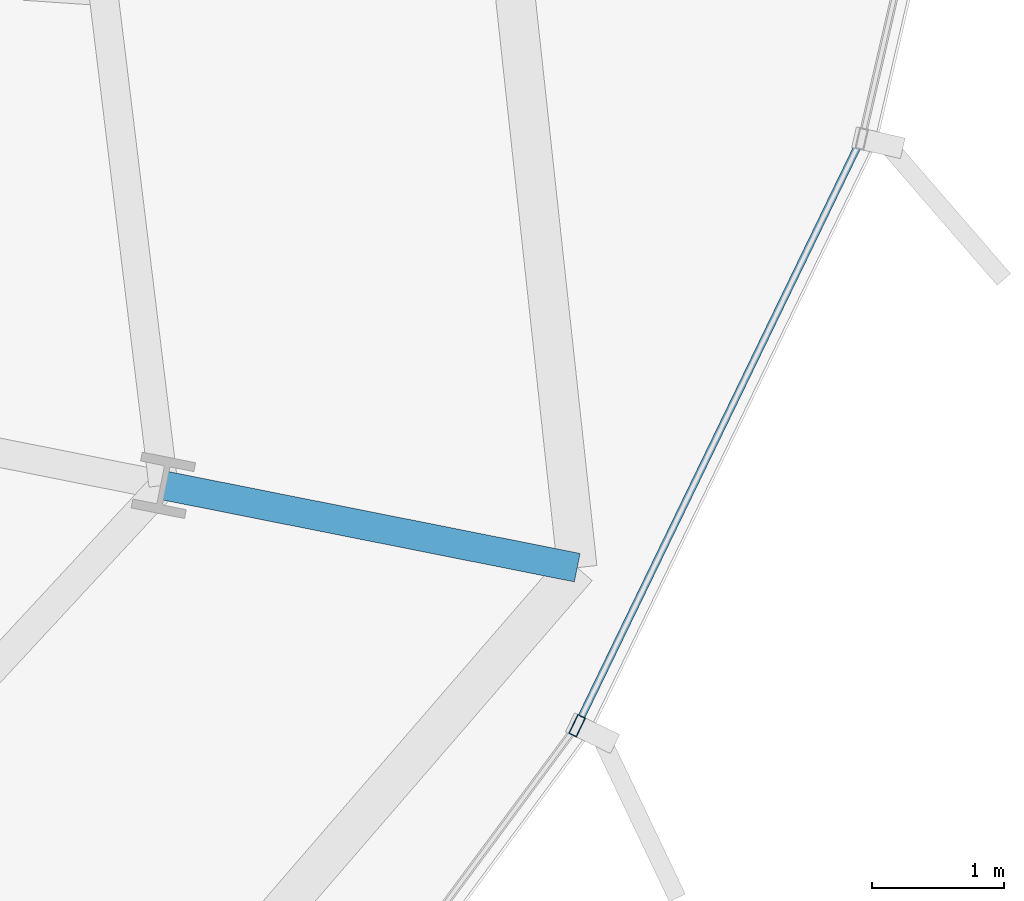
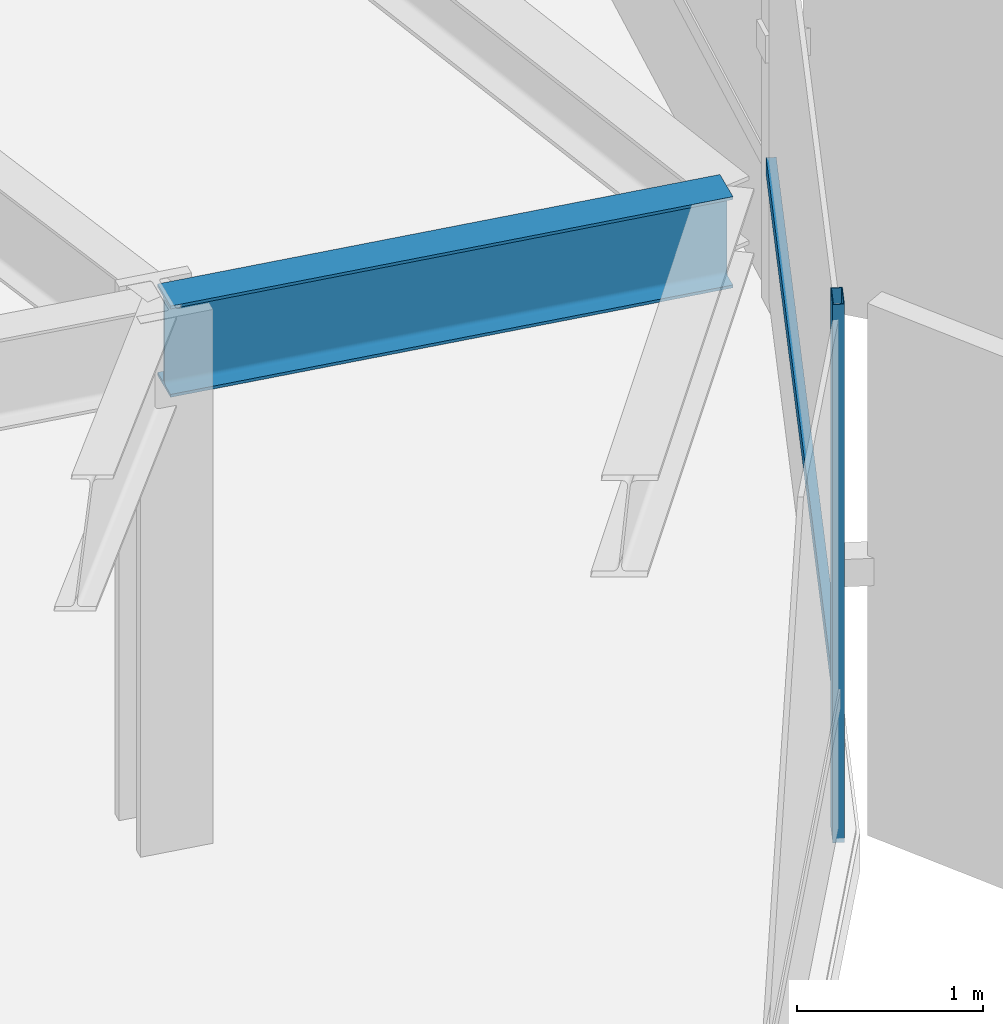
# One storey, part 14 of 35: 2 members, 1 beam, 1 element without a shape of its own.
"""IFC4 building model written with IfcOpenShell, lengths in metres."""

from ifc_helpers import new_model, si_unit, direction, frame, origin, origin_2d, place, context, subcontext, project, spatial, hollow_rectangle, i_section, extrude, source, transform, mapped, material, layer, layer_set, material_profile, profile_set, type_object, element, aggregate, save


model = new_model("IFC4")

# Units and contexts
model_context = context("Model", 3, precision=1e-05, world=origin(), true_north=direction((0.0, 1.0)))
body_context = subcontext(model_context, "Body", "Model", "MODEL_VIEW")
ifc_project = project(units=[si_unit("LENGTHUNIT", "METRE"), si_unit("AREAUNIT", "SQUARE_METRE"), si_unit("VOLUMEUNIT", "CUBIC_METRE"), si_unit("PLANEANGLEUNIT", "RADIAN"), si_unit("MASSUNIT", "GRAM", prefix="KILO"), si_unit("THERMODYNAMICTEMPERATUREUNIT", "KELVIN")], contexts=[model_context])

# Site, building, storey
site_placement = place(None, origin())
site = spatial("IfcSite", under=ifc_project, at=site_placement, CompositionType="ELEMENT")
building_placement = place(site_placement, origin())
building = spatial("IfcBuilding", under=site, at=building_placement, Name="Kethvar Cultural Tower", CompositionType="ELEMENT")
storey_placement = place(building_placement, frame((0.0, 0.0, 71.39990234375)))
storey = spatial("IfcBuildingStorey", under=building, at=storey_placement, Name="L17", CompositionType="ELEMENT", Elevation=71.39990234375)

# Beam
ifc_material_1 = material(Name="Steel S355J2", Category="steel")
ifc_material_profile_1 = material_profile(ifc_material_1, i_section(OverallWidth=0.219970703125, OverallDepth=0.60009765625, WebThickness=0.011962890625, FlangeThickness=0.01904296875, FilletRadius=0.02392578125, at=origin_2d()), Name="Steel S355J2 — IPE600")
ifc_profile_set_1 = profile_set([ifc_material_profile_1], Name="Steel S355J2 — IPE600")
beam_type = type_object("IfcBeamType", Name="BM-IPE600", PredefinedType="BEAM", material=ifc_profile_set_1)
shared_shape_1 = source(origin(), body_context, "Body", "SweptSolid", [
    extrude(i_section(OverallWidth=0.219970703125, OverallDepth=0.60009765625, WebThickness=0.011962890625, FlangeThickness=0.01904296875, FilletRadius=0.02392578125, at=origin_2d()), origin(), (0.0, 0.0, 1.0), 3.199951171875),
])
beam_placement = place(storey_placement, frame((74.9912109375, 22.1923828125, 3.238037109375), z_axis=(0.980785550224, -0.195088965533, 0.0), x_axis=(0.195088965533, 0.980785550224, 0.0)))
element("IfcBeam", 1, at=beam_placement, inside=storey, type_object=beam_type, Name="L17 Perimeter Cantilever Beam RC-16", PredefinedType="BEAM", context=body_context, shape_type="MappedRepresentation", body=[
    mapped(shared_shape_1, transform((0.0, 0.0, 0.0), scale=1.0)),
])

# Curtain wall, members
ifc_material_2 = material(Name="Aluminium 6063-T6", Category="aluminium")
ifc_layer = layer(ifc_material_2, 0.179931640625, Name="Aluminium 6063-T6", Category="aluminium")
ifc_layer_set = layer_set([ifc_layer], Name="Aluminium 6063-T6 (180 mm)")
curtain_wall_type = type_object("IfcCurtainWallType", Name="CW-SYS-02-Z1", PredefinedType="NOTDEFINED", material=ifc_layer_set)
curtain_wall_placement = place(storey_placement, origin())
curtain_wall = element("IfcCurtainWall", 2, at=curtain_wall_placement, inside=storey, type_object=curtain_wall_type, Name="L17 Curtain Wall Run 06", PredefinedType="NOTDEFINED")
ifc_material_profile_2 = material_profile(ifc_material_2, hollow_rectangle(XDim=0.06494140625, YDim=0.159912109375, WallThickness=0.0048828125, at=origin_2d()), Name="Aluminium 6063-T6 — RHS160x65x5")
ifc_profile_set_2 = profile_set([ifc_material_profile_2], Name="Aluminium 6063-T6 — RHS160x65x5")
member_type_1 = type_object("IfcMemberType", Name="CW-SYS-02-Z1-MUL", PredefinedType="MULLION", material=ifc_profile_set_2)
shared_shape_2 = source(origin(), body_context, "Body", "SweptSolid", [
    extrude(hollow_rectangle(XDim=0.06494140625, YDim=0.159912109375, WallThickness=0.0048828125, at=origin_2d()), origin(), (0.0, 0.0, 1.0), 3.5400390625),
])
member_1_placement = place(storey_placement, frame((78.12890625, 20.369140625, 0.0), z_axis=(0.0, 0.0, 1.0), x_axis=(-0.900037523715, 0.435812409076, 0.0)))
member_1 = element("IfcMember", 3, at=member_1_placement, type_object=member_type_1, Name="CW-L17-R06 Mullion 4", PredefinedType="MULLION", context=body_context, shape_type="MappedRepresentation", body=[
    mapped(shared_shape_2, transform((0.0, 0.0, 0.0), scale=1.0)),
])
ifc_material_profile_3 = material_profile(ifc_material_2, hollow_rectangle(XDim=0.054931640625, YDim=0.1201171875, WallThickness=0.00390625, at=origin_2d()), Name="Aluminium 6063-T6 — RHS120x55x4")
ifc_profile_set_3 = profile_set([ifc_material_profile_3], Name="Aluminium 6063-T6 — RHS120x55x4")
member_type_2 = type_object("IfcMemberType", Name="CW-SYS-02-Z1-TRN", PredefinedType="USERDEFINED", material=ifc_profile_set_3)
shared_shape_3 = source(origin(), body_context, "Body", "SweptSolid", [
    extrude(hollow_rectangle(XDim=0.054931640625, YDim=0.1201171875, WallThickness=0.00390625, at=origin_2d()), origin(), (0.0, 0.0, 1.0), 4.8798828125),
])
member_2_placement = place(storey_placement, frame((78.1494140625, 20.4111328125, 0.9501953125), z_axis=(0.435770152291, 0.900057983894, 0.0), x_axis=(-0.900057983894, 0.435770152291, 0.0)))
member_2 = element("IfcMember", 4, at=member_2_placement, type_object=member_type_2, Name="CW-L17-R06 Transom 4", ObjectType="TRANSOM", PredefinedType="USERDEFINED", context=body_context, shape_type="MappedRepresentation", body=[
    mapped(shared_shape_3, transform((0.0, 0.0, 0.0), scale=1.0)),
])
aggregate(curtain_wall, [member_1, member_2])

save(model, "model.ifc")
